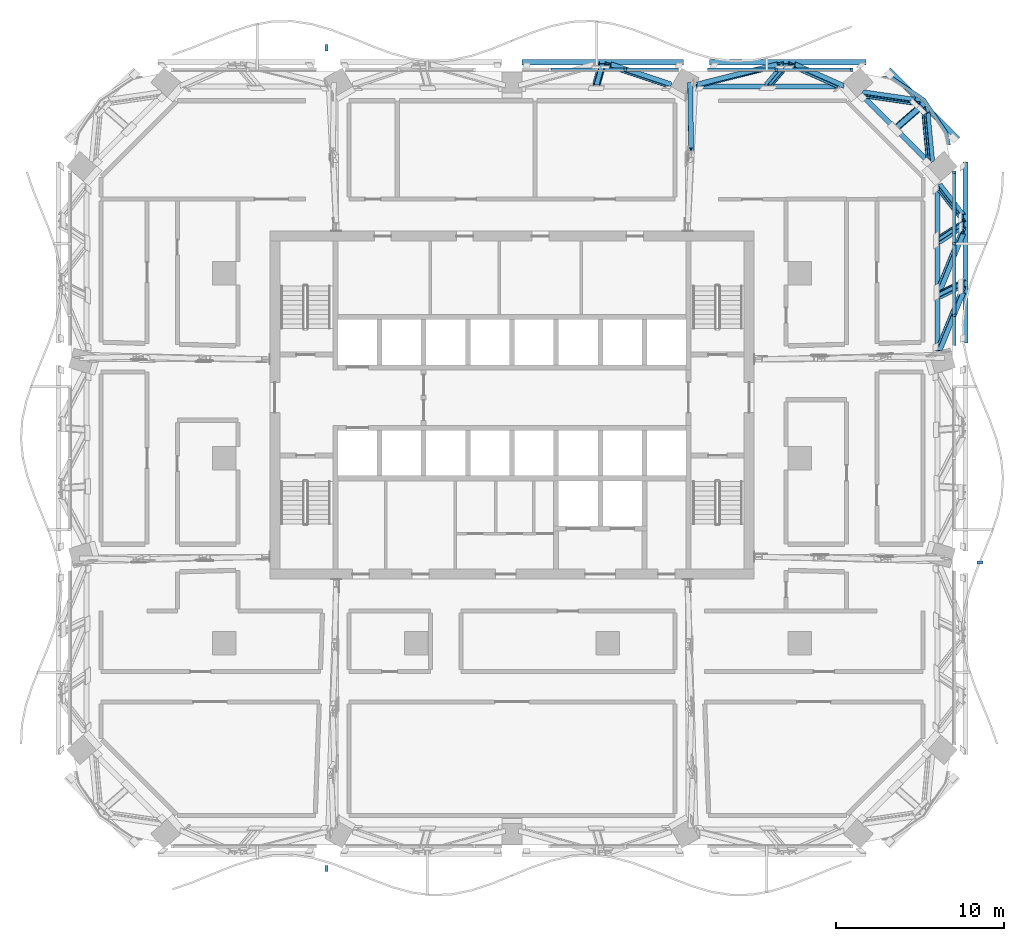
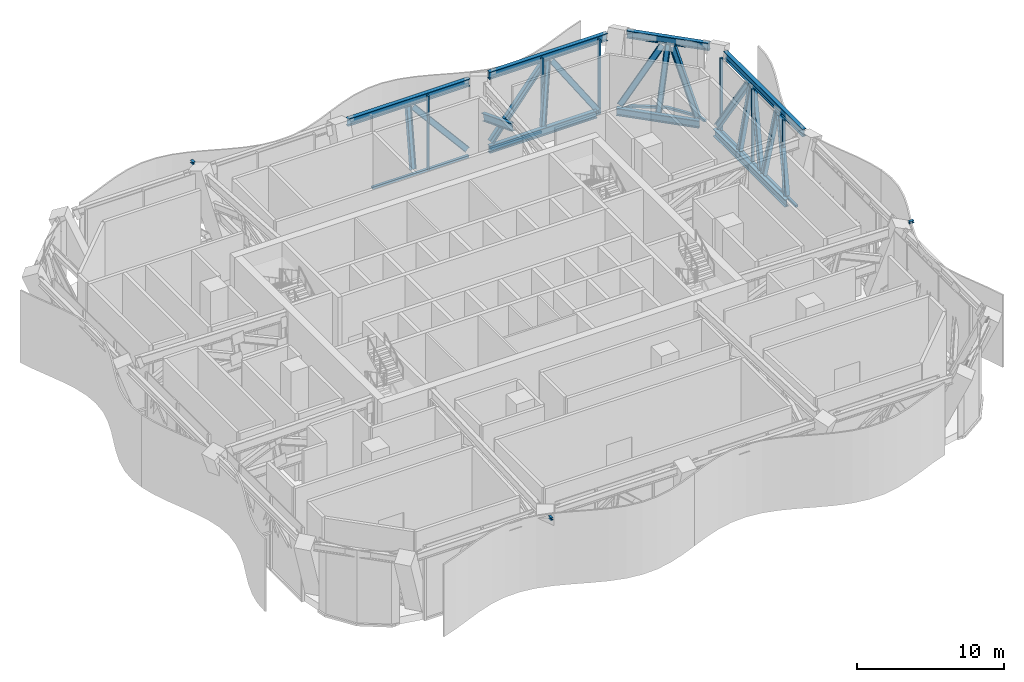
# One storey, part 6 of 26: 35 members, 3 beams, 3 elements without a shape of their own.
"""IFC4 building model written with IfcOpenShell, lengths in metres."""

from ifc_helpers import new_model, si_unit, direction, frame, origin, origin_2d, place, context, subcontext, project, spatial, polyline, rectangle, i_section, outline, extrude, material, material_profile, profile_set, type_object, element, aggregate, save


model = new_model("IFC4")

# Units and contexts
model_context = context("Model", 3, precision=1e-05, world=origin(), true_north=direction((0.0, 1.0)))
body_context = subcontext(model_context, "Body", "Model", "MODEL_VIEW")
ifc_project = project(units=[si_unit("LENGTHUNIT", "METRE"), si_unit("AREAUNIT", "SQUARE_METRE"), si_unit("VOLUMEUNIT", "CUBIC_METRE"), si_unit("PLANEANGLEUNIT", "RADIAN"), si_unit("MASSUNIT", "GRAM", prefix="KILO")], contexts=[model_context])

# Site, building, storey
site_placement = place(None, origin())
site = spatial("IfcSite", under=ifc_project, at=site_placement, CompositionType="ELEMENT")
building_placement = place(site_placement, origin())
building = spatial("IfcBuilding", under=site, at=building_placement, Name="Mopane Tessera Tower", CompositionType="ELEMENT")
storey_placement = place(building_placement, frame((0.0, 0.0, 205.0)))
storey = spatial("IfcBuildingStorey", under=building, at=storey_placement, Name="L43", CompositionType="ELEMENT", Elevation=205.0)

# Curtain wall, members
ifc_material_1 = material(Name="Aluminium frame", Category="aluminium")
curtain_wall_type = type_object("IfcCurtainWallType", Name="Plant floor unitised wall", PredefinedType="NOTDEFINED", material=ifc_material_1)
curtain_wall_1_placement = place(storey_placement, origin())
curtain_wall_1 = element("IfcCurtainWall", 1, at=curtain_wall_1_placement, inside=storey, type_object=curtain_wall_type, Name="e:cw:L43:E:0", PredefinedType="NOTDEFINED")
ifc_material_2 = material(Name="Aluminium frame", Category="aluminium")
ifc_material_profile_1 = material_profile(ifc_material_2, rectangle(XDim=0.139892578125, YDim=0.199951171875, at=origin_2d()))
ifc_profile_set_1 = profile_set([ifc_material_profile_1], Name="Aluminium frame")
member_type_1 = type_object("IfcMemberType", Name="Aluminium mullion 140 x 200", PredefinedType="MULLION", material=ifc_profile_set_1)
member_1_placement = place(storey_placement, frame((26.300048828125, 8.5, -0.60009765625), z_axis=(0.0, 0.0, 1.0), x_axis=(0.0, 1.0, 0.0)))
member_1 = element("IfcMember", 2, at=member_1_placement, type_object=member_type_1, Name="e:cw:L43:E:0:mu6", PredefinedType="MULLION", context=body_context, shape_type="SweptSolid", body=[
    extrude(rectangle(XDim=0.139892578125, YDim=0.199951171875, at=origin_2d()), origin(), (0.0, 0.0, 1.0), 6.2001953125),
])
member_2_placement = place(storey_placement, frame((26.300048828125, 12.75, -0.60009765625), z_axis=(0.0, 0.0, 1.0), x_axis=(0.0, 1.0, 0.0)))
member_2 = element("IfcMember", 3, at=member_2_placement, type_object=member_type_1, Name="e:cw:L43:E:0:mu7", PredefinedType="MULLION", context=body_context, shape_type="SweptSolid", body=[
    extrude(rectangle(XDim=0.139892578125, YDim=0.199951171875, at=origin_2d()), origin(), (0.0, 0.0, 1.0), 6.2001953125),
])
member_3_placement = place(storey_placement, frame((26.300048828125, 17.0, -0.60009765625), z_axis=(0.0, 0.0, 1.0), x_axis=(0.0, 1.0, 0.0)))
member_3 = element("IfcMember", 4, at=member_3_placement, type_object=member_type_1, Name="e:cw:L43:E:0:mu8", PredefinedType="MULLION", context=body_context, shape_type="SweptSolid", body=[
    extrude(rectangle(XDim=0.139892578125, YDim=0.199951171875, at=origin_2d()), origin(), (0.0, 0.0, 1.0), 6.2001953125),
])

curtain_wall_2_placement = place(storey_placement, origin())
curtain_wall_2 = element("IfcCurtainWall", 5, at=curtain_wall_2_placement, inside=storey, type_object=curtain_wall_type, Name="e:cw:L43:N:0", PredefinedType="NOTDEFINED")
member_4_placement = place(storey_placement, frame((20.199951171875, 23.10009765625, -0.60009765625), z_axis=(0.0, 0.0, 1.0), x_axis=(-1.0, 0.0, 0.0)))
member_4 = element("IfcMember", 6, at=member_4_placement, type_object=member_type_1, Name="e:cw:L43:N:0:mu0", PredefinedType="MULLION", context=body_context, shape_type="SweptSolid", body=[
    extrude(rectangle(XDim=0.139892578125, YDim=0.199951171875, at=origin_2d()), origin(), (0.0, 0.0, 1.0), 6.2001953125),
])
member_5_placement = place(storey_placement, frame((15.711181640625, 23.10009765625, -0.60009765625), z_axis=(0.0, 0.0, 1.0), x_axis=(-1.0, 0.0, 0.0)))
member_5 = element("IfcMember", 7, at=member_5_placement, type_object=member_type_1, Name="e:cw:L43:N:0:mu1", PredefinedType="MULLION", context=body_context, shape_type="SweptSolid", body=[
    extrude(rectangle(XDim=0.139892578125, YDim=0.199951171875, at=origin_2d()), origin(), (0.0, 0.0, 1.0), 6.2001953125),
])
member_6_placement = place(storey_placement, frame((6.7333984375, 23.10009765625, -0.60009765625), z_axis=(0.0, 0.0, 1.0), x_axis=(-1.0, 0.0, 0.0)))
member_6 = element("IfcMember", 8, at=member_6_placement, type_object=member_type_1, Name="e:cw:L43:N:0:mu3", PredefinedType="MULLION", context=body_context, shape_type="SweptSolid", body=[
    extrude(rectangle(XDim=0.139892578125, YDim=0.199951171875, at=origin_2d()), origin(), (0.0, 0.0, 1.0), 6.2001953125),
])

# Member
ifc_material_3 = material(Name="Aluminium frame", Category="aluminium")
ifc_material_profile_2 = material_profile(ifc_material_3, rectangle(XDim=0.199951171875, YDim=0.179931640625, at=origin_2d()))
ifc_profile_set_2 = profile_set([ifc_material_profile_2], Name="Aluminium frame")
member_type_2 = type_object("IfcMemberType", Name="Aluminium transom 200 x 180", PredefinedType="USERDEFINED", material=ifc_profile_set_2)
member_7_placement = place(storey_placement, frame((26.300048828125, 6.710693359375, -0.510009765625), z_axis=(0.0, 1.0, 0.0), x_axis=(-1.0, 0.0, 0.0)))
member_7 = element("IfcMember", 9, at=member_7_placement, type_object=member_type_2, Name="e:cw:L43:E:0:tr5", ObjectType="TRANSOM", PredefinedType="USERDEFINED", context=body_context, shape_type="SweptSolid", body=[
    extrude(rectangle(XDim=0.199951171875, YDim=0.179931640625, at=origin_2d()), origin(), (0.0, 0.0, 1.0), 1.71923828125),
])

member_8_placement = place(storey_placement, frame((26.300048828125, 8.570068359375, -0.510009765625), z_axis=(0.0, 1.0, 0.0), x_axis=(-1.0, 0.0, 0.0)))
member_8 = element("IfcMember", 10, at=member_8_placement, type_object=member_type_2, Name="e:cw:L43:E:0:tr6", ObjectType="TRANSOM", PredefinedType="USERDEFINED", context=body_context, shape_type="SweptSolid", body=[
    extrude(rectangle(XDim=0.199951171875, YDim=0.179931640625, at=origin_2d()), origin(), (0.0, 0.0, 1.0), 4.10986328125),
])

member_9_placement = place(storey_placement, frame((26.300048828125, 12.820068359375, -0.510009765625), z_axis=(0.0, 1.0, 0.0), x_axis=(-1.0, 0.0, 0.0)))
member_9 = element("IfcMember", 11, at=member_9_placement, type_object=member_type_2, Name="e:cw:L43:E:0:tr7", ObjectType="TRANSOM", PredefinedType="USERDEFINED", context=body_context, shape_type="SweptSolid", body=[
    extrude(rectangle(XDim=0.199951171875, YDim=0.179931640625, at=origin_2d()), origin(), (0.0, 0.0, 1.0), 4.10986328125),
])

aggregate(curtain_wall_1, [member_1, member_2, member_3, member_7, member_8, member_9])

# Curtain wall, member
curtain_wall_3_placement = place(storey_placement, origin())
curtain_wall_3 = element("IfcCurtainWall", 12, at=curtain_wall_3_placement, inside=storey, type_object=curtain_wall_type, Name="e:cw:L43:CE", PredefinedType="NOTDEFINED")
member_10_placement = place(storey_placement, frame((0.0, 0.0, -0.60009765625)))
member_10 = element("IfcMember", 13, at=member_10_placement, type_object=member_type_2, Name="e:cw:L43:CE:tr", ObjectType="TRANSOM", PredefinedType="USERDEFINED", context=body_context, shape_type="SweptSolid", body=[
    extrude(outline(polyline([(24.442626953125, 21.24267578125), (22.49609375, 22.543212890625), (21.977783203125, 22.646484375), (21.977783203125, 22.73193359375), (22.322265625, 22.73193359375), (22.322265625, 22.77783203125), (22.57275390625, 22.72802734375), (24.583984375, 21.384033203125), (25.927978515625, 19.37255859375), (26.07568359375, 18.630615234375), (25.875732421875, 18.630615234375), (25.7431640625, 19.296142578125), (24.442626953125, 21.24267578125)])), origin(), (0.0, 0.0, 1.0), 0.18017578125),
])
aggregate(curtain_wall_3, [member_10])

# Member
member_11_placement = place(storey_placement, frame((20.1298828125, 23.10009765625, -0.510009765625), z_axis=(-1.0, 0.0, 0.0), x_axis=(0.0, -1.0, 0.0)))
member_11 = element("IfcMember", 14, at=member_11_placement, type_object=member_type_2, Name="e:cw:L43:N:0:tr0", ObjectType="TRANSOM", PredefinedType="USERDEFINED", context=body_context, shape_type="SweptSolid", body=[
    extrude(rectangle(XDim=0.199951171875, YDim=0.179931640625, at=origin_2d()), origin(), (0.0, 0.0, 1.0), 4.348876953125),
])

member_12_placement = place(storey_placement, frame((15.64111328125, 23.10009765625, -0.510009765625), z_axis=(-1.0, 0.0, 0.0), x_axis=(0.0, -1.0, 0.0)))
member_12 = element("IfcMember", 15, at=member_12_placement, type_object=member_type_2, Name="e:cw:L43:N:0:tr1", ObjectType="TRANSOM", PredefinedType="USERDEFINED", context=body_context, shape_type="SweptSolid", body=[
    extrude(rectangle(XDim=0.199951171875, YDim=0.179931640625, at=origin_2d()), origin(), (0.0, 0.0, 1.0), 4.007568359375),
])

member_13_placement = place(storey_placement, frame((9.912841796875, 23.10009765625, -0.510009765625), z_axis=(-1.0, 0.0, 0.0), x_axis=(0.0, -1.0, 0.0)))
member_13 = element("IfcMember", 16, at=member_13_placement, type_object=member_type_2, Name="e:cw:L43:N:0:tr2", ObjectType="TRANSOM", PredefinedType="USERDEFINED", context=body_context, shape_type="SweptSolid", body=[
    extrude(rectangle(XDim=0.199951171875, YDim=0.179931640625, at=origin_2d()), origin(), (0.0, 0.0, 1.0), 3.109619140625),
])

member_14_placement = place(storey_placement, frame((6.663330078125, 23.10009765625, -0.510009765625), z_axis=(-1.0, 0.0, 0.0), x_axis=(0.0, -1.0, 0.0)))
member_14 = element("IfcMember", 17, at=member_14_placement, type_object=member_type_2, Name="e:cw:L43:N:0:tr3", ObjectType="TRANSOM", PredefinedType="USERDEFINED", context=body_context, shape_type="SweptSolid", body=[
    extrude(rectangle(XDim=0.199951171875, YDim=0.179931640625, at=origin_2d()), origin(), (0.0, 0.0, 1.0), 4.348876953125),
])

aggregate(curtain_wall_2, [member_4, member_5, member_6, member_11, member_12, member_13, member_14])

# Members
ifc_material_4 = material(Name="Structural steel S460", Category="steel")
ifc_material_profile_3 = material_profile(ifc_material_4, i_section(OverallWidth=0.304931640625, OverallDepth=0.6201171875, WebThickness=0.02099609375, FlangeThickness=0.0400390625, FilletRadius=0.027099609375, at=origin_2d()))
ifc_profile_set_3 = profile_set([ifc_material_profile_3], Name="Structural steel S460")
member_type_3 = type_object("IfcMemberType", Name="Belt truss chord HE 600 M", PredefinedType="CHORD", material=ifc_profile_set_3)
member_15_placement = place(storey_placement, frame((25.30322265625, 6.36572265625, 0.31005859375), z_axis=(0.0, 1.0, 0.0), x_axis=(-1.0, 0.0, 0.0)))
element("IfcMember", 18, at=member_15_placement, inside=storey, type_object=member_type_3, Name="Belt truss bottom chord L43 E2-E3", PredefinedType="CHORD", context=body_context, shape_type="SweptSolid", body=[
    extrude(i_section(OverallWidth=0.304931640625, OverallDepth=0.6201171875, WebThickness=0.02099609375, FlangeThickness=0.0400390625, FilletRadius=0.027099609375, at=origin_2d()), origin(), (0.0, 0.0, 1.0), 9.794677734375),
])
member_16_placement = place(storey_placement, frame((26.96337890625, 6.849853515625, 5.2900390625), z_axis=(0.0, 1.0, 0.0), x_axis=(-1.0, 0.0, 0.0)))
element("IfcMember", 19, at=member_16_placement, inside=storey, type_object=member_type_3, Name="Belt truss top chord L43 E2-E3", PredefinedType="CHORD", context=body_context, shape_type="SweptSolid", body=[
    extrude(i_section(OverallWidth=0.304931640625, OverallDepth=0.6201171875, WebThickness=0.02099609375, FlangeThickness=0.0400390625, FilletRadius=0.027099609375, at=origin_2d()), origin(), (0.0, 0.0, 1.0), 10.762939453125),
])
for number, where, z_axis, x_axis, name in (
    (20, (24.871337890625, 17.5224609375, 0.31005859375), (-0.707106781187, 0.707106781187, 0.0), (-0.707106781187, -0.707106781187, 0.0), "Belt truss bottom chord L43 E3-N0"),
    (21, (26.53125, 18.974853515625, 5.2900390625), (-0.707106781187, 0.707106781187, 0.0), (-0.707106781187, -0.707106781187, 0.0), "Belt truss top chord L43 E3-N0"),
):
    element("IfcMember", number, at=place(storey_placement, frame(where, z_axis=z_axis, x_axis=x_axis)), inside=storey, type_object=member_type_3, Name=name, PredefinedType="CHORD", context=body_context, shape_type="SweptSolid", body=[
        extrude(i_section(OverallWidth=0.304931640625, OverallDepth=0.6201171875, WebThickness=0.02099609375, FlangeThickness=0.0400390625, FilletRadius=0.027099609375, at=origin_2d()), origin(), (0.0, 0.0, 1.0), 5.84912109375),
    ])
member_17_placement = place(storey_placement, frame((19.383056640625, 22.09033203125, 0.31005859375), z_axis=(-1.0, 0.0, 0.0), x_axis=(0.0, -1.0, 0.0)))
element("IfcMember", 22, at=member_17_placement, inside=storey, type_object=member_type_3, Name="Belt truss bottom chord L43 N0-N1", PredefinedType="CHORD", context=body_context, shape_type="SweptSolid", body=[
    extrude(i_section(OverallWidth=0.304931640625, OverallDepth=0.6201171875, WebThickness=0.02099609375, FlangeThickness=0.0400390625, FilletRadius=0.027099609375, at=origin_2d()), origin(), (0.0, 0.0, 1.0), 8.45361328125),
])
member_18_placement = place(storey_placement, frame((21.04296875, 23.54296875, 5.2900390625), z_axis=(-1.0, 0.0, 0.0), x_axis=(0.0, -1.0, 0.0)))
element("IfcMember", 23, at=member_18_placement, inside=storey, type_object=member_type_3, Name="Belt truss top chord L43 N0-N1", PredefinedType="CHORD", context=body_context, shape_type="SweptSolid", body=[
    extrude(i_section(OverallWidth=0.304931640625, OverallDepth=0.6201171875, WebThickness=0.02099609375, FlangeThickness=0.0400390625, FilletRadius=0.027099609375, at=origin_2d()), origin(), (0.0, 0.0, 1.0), 9.28369140625),
])
member_19_placement = place(storey_placement, frame((10.2041015625, 23.54296875, 5.2900390625), z_axis=(-1.0, 0.0, 0.0), x_axis=(0.0, -1.0, 0.0)))
element("IfcMember", 24, at=member_19_placement, inside=storey, type_object=member_type_3, Name="Belt truss top chord L43 N1-N2", PredefinedType="CHORD", context=body_context, shape_type="SweptSolid", body=[
    extrude(i_section(OverallWidth=0.304931640625, OverallDepth=0.6201171875, WebThickness=0.02099609375, FlangeThickness=0.0400390625, FilletRadius=0.027099609375, at=origin_2d()), origin(), (0.0, 0.0, 1.0), 9.6044921875),
])
ifc_material_5 = material(Name="Structural steel S460", Category="steel")
ifc_material_profile_4 = material_profile(ifc_material_5, i_section(OverallWidth=0.300048828125, OverallDepth=0.449951171875, WebThickness=0.013916015625, FlangeThickness=0.02587890625, FilletRadius=0.027099609375, at=origin_2d()))
ifc_profile_set_4 = profile_set([ifc_material_profile_4], Name="Structural steel S460")
member_type_4 = type_object("IfcMemberType", Name="Belt truss diagonal HE 450 B", PredefinedType="BRACE", material=ifc_profile_set_4)
member_20_placement = place(storey_placement, frame((25.436279296875, 6.576904296875, 0.708984375), z_axis=(0.250092587461, 0.612047953972, 0.750233963331), x_axis=(-0.968221925622, 0.158109369998, 0.193772366101)))
element("IfcMember", 25, at=member_20_placement, inside=storey, type_object=member_type_4, Name="Belt truss diagonal 0 L43 E2-E3", PredefinedType="BRACE", context=body_context, shape_type="SweptSolid", body=[
    extrude(i_section(OverallWidth=0.300048828125, OverallDepth=0.449951171875, WebThickness=0.013916015625, FlangeThickness=0.02587890625, FilletRadius=0.027099609375, at=origin_2d()), origin(), (0.0, 0.0, 1.0), 5.57421875),
])
member_21_placement = place(storey_placement, frame((25.43359375, 10.06982421875, 0.700927734375), z_axis=(0.24983774848, 0.613087538402, 0.749469658952), x_axis=(-0.968287714499, 0.158218679526, 0.193353953666)))
element("IfcMember", 26, at=member_21_placement, inside=storey, type_object=member_type_4, Name="Belt truss diagonal 1 L43 E2-E3", PredefinedType="BRACE", context=body_context, shape_type="SweptSolid", body=[
    extrude(i_section(OverallWidth=0.300048828125, OverallDepth=0.449951171875, WebThickness=0.013916015625, FlangeThickness=0.02587890625, FilletRadius=0.027099609375, at=origin_2d()), origin(), (0.0, 0.0, 1.0), 5.601318359375),
])
member_22_placement = place(storey_placement, frame((26.830322265625, 14.298828125, 4.890869140625), z_axis=(-0.292684281038, 0.378746786794, -0.878001584922), x_axis=(-0.9562091341, -0.115986684967, 0.268721381312)))
element("IfcMember", 27, at=member_22_placement, inside=storey, type_object=member_type_4, Name="Belt truss diagonal 2 L43 E2-E3", PredefinedType="BRACE", context=body_context, shape_type="SweptSolid", body=[
    extrude(i_section(OverallWidth=0.300048828125, OverallDepth=0.449951171875, WebThickness=0.013916015625, FlangeThickness=0.02587890625, FilletRadius=0.027099609375, at=origin_2d()), origin(), (0.0, 0.0, 1.0), 4.762939453125),
])
member_23_placement = place(storey_placement, frame((24.875, 17.759521484375, 0.695068359375), z_axis=(-0.053479155953, 0.567155505062, 0.821872625749), x_axis=(-0.779769071983, -0.53785629451, 0.32042284693)))
element("IfcMember", 28, at=member_23_placement, inside=storey, type_object=member_type_4, Name="Belt truss diagonal 0 L43 E3-N0", PredefinedType="BRACE", context=body_context, shape_type="SweptSolid", body=[
    extrude(i_section(OverallWidth=0.300048828125, OverallDepth=0.449951171875, WebThickness=0.013916015625, FlangeThickness=0.02587890625, FilletRadius=0.027099609375, at=origin_2d()), origin(), (0.0, 0.0, 1.0), 5.1220703125),
])
member_24_placement = place(storey_placement, frame((24.06884765625, 21.19677734375, 4.90478515625), z_axis=(-0.588337593161, 0.085800203806, -0.80405049686), x_axis=(-0.532813929341, -0.789099900019, 0.305664300322)))
element("IfcMember", 29, at=member_24_placement, inside=storey, type_object=member_type_4, Name="Belt truss diagonal 1 L43 E3-N0", PredefinedType="BRACE", context=body_context, shape_type="SweptSolid", body=[
    extrude(i_section(OverallWidth=0.300048828125, OverallDepth=0.449951171875, WebThickness=0.013916015625, FlangeThickness=0.02587890625, FilletRadius=0.027099609375, at=origin_2d()), origin(), (0.0, 0.0, 1.0), 5.235595703125),
])
member_25_placement = place(storey_placement, frame((19.54833984375, 22.1337890625, 0.458984375), z_axis=(-0.534125013888, 0.236708353541, 0.811590798927), x_axis=(-0.130133902201, -0.97158075081, 0.197727115374)))
element("IfcMember", 30, at=member_25_placement, inside=storey, type_object=member_type_4, Name="Belt truss diagonal 0 L43 N0-N1", PredefinedType="BRACE", context=body_context, shape_type="SweptSolid", body=[
    extrude(i_section(OverallWidth=0.300048828125, OverallDepth=0.449951171875, WebThickness=0.013916015625, FlangeThickness=0.02587890625, FilletRadius=0.027099609375, at=origin_2d()), origin(), (0.0, 0.0, 1.0), 5.421142578125),
])
member_26_placement = place(storey_placement, frame((15.92333984375, 23.4169921875, 4.858642578125), z_axis=(-0.74405429857, -0.187049994396, -0.641401200791), x_axis=(0.141659023539, -0.982350395202, 0.12214917968)))
element("IfcMember", 31, at=member_26_placement, inside=storey, type_object=member_type_4, Name="Belt truss diagonal 1 L43 N0-N1", PredefinedType="BRACE", context=body_context, shape_type="SweptSolid", body=[
    extrude(i_section(OverallWidth=0.300048828125, OverallDepth=0.449951171875, WebThickness=0.013916015625, FlangeThickness=0.02587890625, FilletRadius=0.027099609375, at=origin_2d()), origin(), (0.0, 0.0, 1.0), 6.4189453125),
])
member_27_placement = place(storey_placement, frame((9.304931640625, 22.217529296875, 0.745849609375), z_axis=(-0.64225685796, 0.214610338975, 0.735831863137), x_axis=(-0.14112011445, -0.976699750378, 0.161687077122)))
element("IfcMember", 32, at=member_27_placement, inside=storey, type_object=member_type_4, Name="Belt truss diagonal 0 L43 N1-N2", PredefinedType="BRACE", context=body_context, shape_type="SweptSolid", body=[
    extrude(i_section(OverallWidth=0.300048828125, OverallDepth=0.449951171875, WebThickness=0.013916015625, FlangeThickness=0.02587890625, FilletRadius=0.027099609375, at=origin_2d()), origin(), (0.0, 0.0, 1.0), 5.583251953125),
])
ifc_material_6 = material(Name="Structural steel S460", Category="steel")
ifc_material_profile_5 = material_profile(ifc_material_6, i_section(OverallWidth=0.300048828125, OverallDepth=0.39990234375, WebThickness=0.013427734375, FlangeThickness=0.02392578125, FilletRadius=0.027099609375, at=origin_2d()))
ifc_profile_set_5 = profile_set([ifc_material_profile_5], Name="Structural steel S460")
member_type_5 = type_object("IfcMemberType", Name="Belt truss post HE 400 B", PredefinedType="POST", material=ifc_profile_set_5)
member_28_placement = place(storey_placement, frame((25.40673828125, 9.681640625, 0.6201171875), z_axis=(0.312421061846, 0.154058436915, 0.937368165733), x_axis=(-0.94994372346, 0.050616707484, 0.308293482225)))
element("IfcMember", 33, at=member_28_placement, inside=storey, type_object=member_type_5, Name="Belt truss post 1 L43 E2-E3", PredefinedType="POST", context=body_context, shape_type="SweptSolid", body=[
    extrude(i_section(OverallWidth=0.300048828125, OverallDepth=0.39990234375, WebThickness=0.013427734375, FlangeThickness=0.02392578125, FilletRadius=0.027099609375, at=origin_2d()), origin(), (0.0, 0.0, 1.0), 4.651123046875),
])
member_29_placement = place(storey_placement, frame((25.40673828125, 12.9638671875, 0.6201171875), z_axis=(0.309522043948, 0.204371914098, 0.928670137906), x_axis=(-0.950892266512, 0.066480921582, 0.302298171602)))
element("IfcMember", 34, at=member_29_placement, inside=storey, type_object=member_type_5, Name="Belt truss post 2 L43 E2-E3", PredefinedType="POST", context=body_context, shape_type="SweptSolid", body=[
    extrude(i_section(OverallWidth=0.300048828125, OverallDepth=0.39990234375, WebThickness=0.013427734375, FlangeThickness=0.02392578125, FilletRadius=0.027099609375, at=origin_2d()), origin(), (0.0, 0.0, 1.0), 4.69482421875),
])
member_30_placement = place(storey_placement, frame((22.90673828125, 19.680908203125, 0.6201171875), z_axis=(0.304747191125, 0.266653792234, 0.914343974984), x_axis=(-0.638405437369, -0.655233196954, 0.403866258985)))
element("IfcMember", 35, at=member_30_placement, inside=storey, type_object=member_type_5, Name="Belt truss post 1 L43 E3-N0", PredefinedType="POST", context=body_context, shape_type="SweptSolid", body=[
    extrude(i_section(OverallWidth=0.300048828125, OverallDepth=0.39990234375, WebThickness=0.013427734375, FlangeThickness=0.02392578125, FilletRadius=0.027099609375, at=origin_2d()), origin(), (0.0, 0.0, 1.0), 4.768310546875),
])
member_31_placement = place(storey_placement, frame((15.2333984375, 22.180908203125, 0.6201171875), z_axis=(0.232361267944, 0.272308164593, 0.933732565918), x_axis=(0.065661907307, -0.962210088415, 0.264273077858)))
element("IfcMember", 36, at=member_31_placement, inside=storey, type_object=member_type_5, Name="Belt truss post 1 L43 N0-N1", PredefinedType="POST", context=body_context, shape_type="SweptSolid", body=[
    extrude(i_section(OverallWidth=0.300048828125, OverallDepth=0.39990234375, WebThickness=0.013427734375, FlangeThickness=0.02392578125, FilletRadius=0.027099609375, at=origin_2d()), origin(), (0.0, 0.0, 1.0), 4.669189453125),
])
member_32_placement = place(storey_placement, frame((5.01220703125, 22.180908203125, 0.6201171875), z_axis=(0.078352417784, 0.279110391122, 0.957057097667), x_axis=(0.022756629469, -0.960259021976, 0.278181139779)))
element("IfcMember", 37, at=member_32_placement, inside=storey, type_object=member_type_5, Name="Belt truss post 1 L43 N1-N2", PredefinedType="POST", context=body_context, shape_type="SweptSolid", body=[
    extrude(i_section(OverallWidth=0.300048828125, OverallDepth=0.39990234375, WebThickness=0.013427734375, FlangeThickness=0.02392578125, FilletRadius=0.027099609375, at=origin_2d()), origin(), (0.0, 0.0, 1.0), 4.555419921875),
])
ifc_material_7 = material(Name="Structural steel S460", Category="steel")
ifc_material_profile_6 = material_profile(ifc_material_7, i_section(OverallWidth=0.300048828125, OverallDepth=0.60009765625, WebThickness=0.015380859375, FlangeThickness=0.030029296875, FilletRadius=0.027099609375, at=origin_2d()))
ifc_profile_set_6 = profile_set([ifc_material_profile_6], Name="Structural steel S460")
member_type_6 = type_object("IfcMemberType", Name="Outrigger truss diagonal HE 600 B", PredefinedType="BRACE", material=ifc_profile_set_6)
member_33_placement = place(storey_placement, frame((10.648681640625, 18.337890625, 4.518310546875), z_axis=(-0.012454054, 0.935228960765, -0.353824373787), x_axis=(-0.999919050598, -0.010726212522, 0.006844020484)))
element("IfcMember", 38, at=member_33_placement, inside=storey, type_object=member_type_6, Name="Outrigger truss diagonal 1 L43 N1", PredefinedType="BRACE", context=body_context, shape_type="SweptSolid", body=[
    extrude(i_section(OverallWidth=0.300048828125, OverallDepth=0.60009765625, WebThickness=0.015380859375, FlangeThickness=0.030029296875, FilletRadius=0.027099609375, at=origin_2d()), origin(), (0.0, 0.0, 1.0), 4.156005859375),
])

# Beams
ifc_material_8 = material(Name="Structural steel S460", Category="steel")
ifc_material_profile_7 = material_profile(ifc_material_8, i_section(OverallWidth=0.199951171875, OverallDepth=0.199951171875, WebThickness=0.009033203125, FlangeThickness=0.014892578125, FilletRadius=0.01806640625, at=origin_2d()))
ifc_profile_set_7 = profile_set([ifc_material_profile_7], Name="Structural steel S460")
beam_type = type_object("IfcBeamType", Name="Terrace trimmer beam HE 200 B", PredefinedType="BEAM", material=ifc_profile_set_7)
for number, where, z_axis, x_axis, name in (
    (39, (-11.033447265625, -24.21826171875, 5.5), (0.0, -1.0, 0.0), (1.0, 0.0, 0.0), "Terrace trimmer beam N1 L44"),
    (40, (27.651611328125, -6.211181640625, 5.5), (1.0, 0.0, 0.0), (0.0, 1.0, 0.0), "Terrace trimmer beam N2 L44"),
    (41, (-11.033447265625, 24.21826171875, 5.5), (0.0, 1.0, 0.0), (-1.0, 0.0, 0.0), "Terrace trimmer beam N3 L44"),
):
    element("IfcBeam", number, at=place(storey_placement, frame(where, z_axis=z_axis, x_axis=x_axis)), inside=storey, type_object=beam_type, Name=name, PredefinedType="BEAM", context=body_context, shape_type="SweptSolid", body=[
        extrude(i_section(OverallWidth=0.199951171875, OverallDepth=0.199951171875, WebThickness=0.009033203125, FlangeThickness=0.014892578125, FilletRadius=0.01806640625, at=origin_2d()), origin(), (0.0, 0.0, 1.0), 0.364990234375),
    ])

save(model, "model.ifc")
